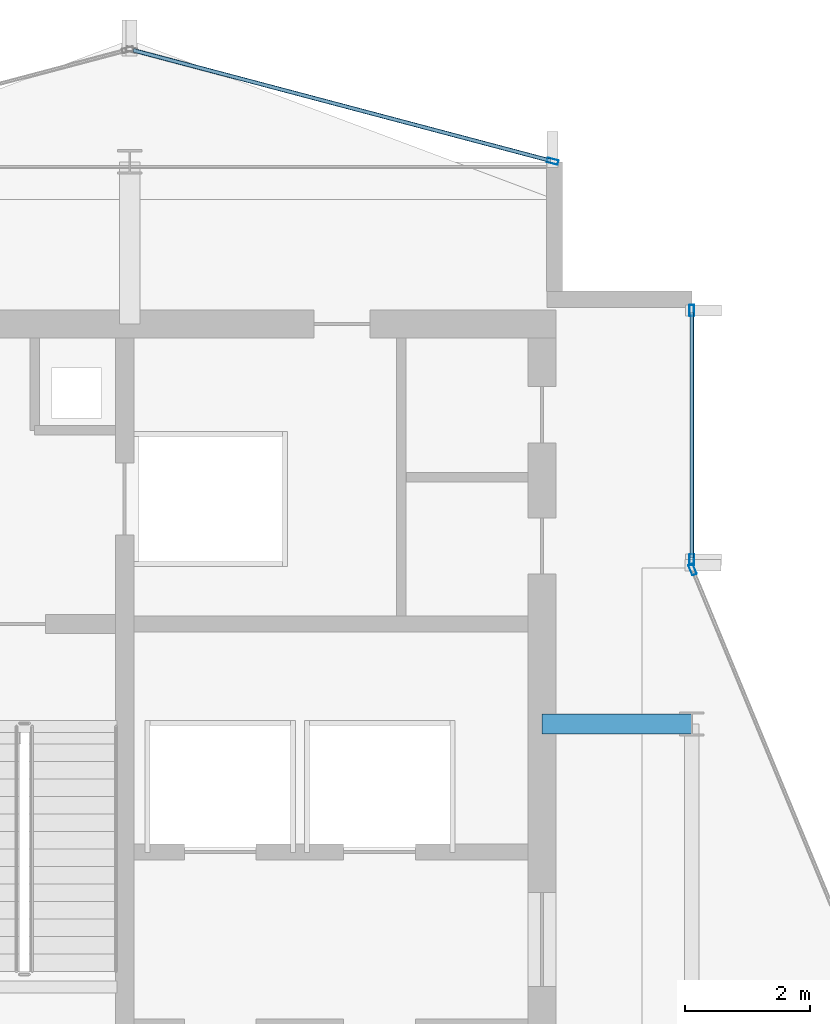
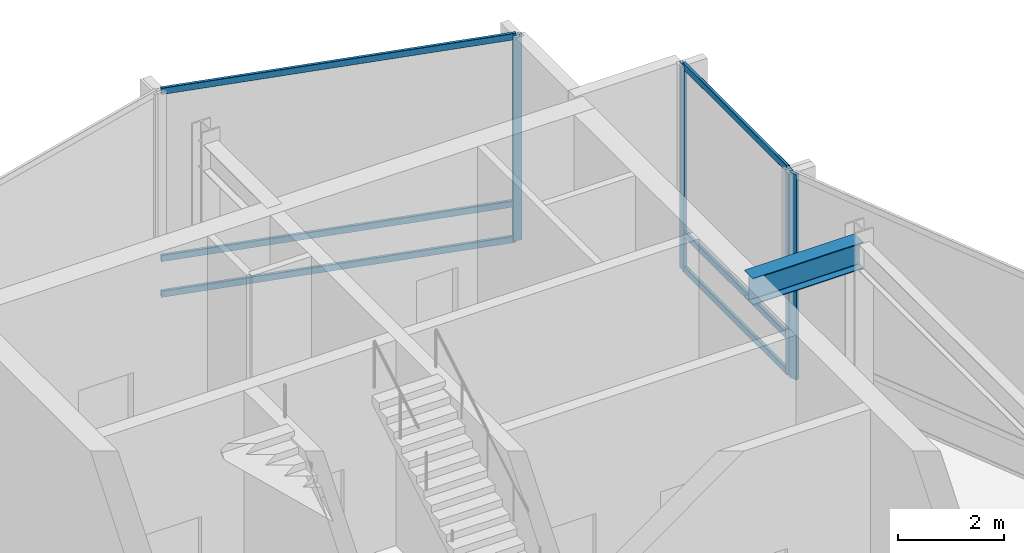
# One storey, part 15 of 23: 10 members, 1 beam, 3 elements without a shape of their own.
"""IFC4 building model written with IfcOpenShell, lengths in metres."""

from ifc_helpers import new_model, si_unit, direction, frame, origin, origin_2d, place, context, subcontext, project, spatial, hollow_rectangle, i_section, extrude, material, layer, layer_set, material_profile, profile_set, type_object, element, aggregate, save


model = new_model("IFC4")

# Units and contexts
model_context = context("Model", 3, precision=1e-05, world=origin(), true_north=direction((0.0, 1.0)))
body_context = subcontext(model_context, "Body", "Model", "MODEL_VIEW")
ifc_project = project(units=[si_unit("LENGTHUNIT", "METRE"), si_unit("AREAUNIT", "SQUARE_METRE"), si_unit("VOLUMEUNIT", "CUBIC_METRE"), si_unit("PLANEANGLEUNIT", "RADIAN"), si_unit("MASSUNIT", "GRAM", prefix="KILO")], contexts=[model_context])

# Site, building, storey
site_placement = place(None, origin())
site = spatial("IfcSite", under=ifc_project, at=site_placement, CompositionType="ELEMENT")
building_placement = place(site_placement, origin())
building = spatial("IfcBuilding", under=site, at=building_placement, Name="Solvaryn Broadcast Tower", CompositionType="ELEMENT")
storey_placement = place(building_placement, frame((0.0, 0.0, 235.800048828125)))
storey = spatial("IfcBuildingStorey", under=building, at=storey_placement, Name="L59", CompositionType="ELEMENT", Elevation=235.800048828125)

# Beam
ifc_material_1 = material(Name="Steel ASTM A992 Grade 50", Category="steel")
ifc_material_profile_1 = material_profile(ifc_material_1, i_section(OverallWidth=0.323974609375, OverallDepth=0.611083984375, WebThickness=0.0126953125, FlangeThickness=0.01904296875, FilletRadius=0.014892578125, at=origin_2d()))
ifc_profile_set_1 = profile_set([ifc_material_profile_1], Name="Steel ASTM A992 Grade 50")
beam_type = type_object("IfcBeamType", Name="BM-B1-W24X104", PredefinedType="BEAM", material=ifc_profile_set_1)
beam_placement = place(storey_placement, frame((24.60009765625, 36.0, 4.41455078125), z_axis=(1.0, 0.0, 0.0), x_axis=(0.0, 1.0, 0.0)))
element("IfcBeam", 1, at=beam_placement, inside=storey, type_object=beam_type, Name="L59 Core Tie Beam CTW2", PredefinedType="BEAM", context=body_context, shape_type="SweptSolid", body=[
    extrude(i_section(OverallWidth=0.323974609375, OverallDepth=0.611083984375, WebThickness=0.0126953125, FlangeThickness=0.01904296875, FilletRadius=0.014892578125, at=origin_2d()), origin(), (0.0, 0.0, 1.0), 2.39990234375),
])

# Curtain wall, members
ifc_material_2 = material(Name="Aluminium and Terracotta Unitised Curtain Wall", Category="masonry")
ifc_layer = layer(ifc_material_2, 0.25)
ifc_layer_set = layer_set([ifc_layer], Name="CW-SYS4-SKYGARDEN")
curtain_wall_type = type_object("IfcCurtainWallType", Name="CW-SYS4-SKYGARDEN", PredefinedType="NOTDEFINED", material=ifc_layer_set)
curtain_wall_1_placement = place(storey_placement, origin())
curtain_wall_1 = element("IfcCurtainWall", 2, at=curtain_wall_1_placement, inside=storey, type_object=curtain_wall_type, Name="L59 Curtain Wall IV", PredefinedType="NOTDEFINED")
ifc_material_3 = material(Name="Anodised Aluminium 6063-T6", Category="aluminium")
ifc_material_profile_2 = material_profile(ifc_material_3, hollow_rectangle(XDim=0.074951171875, YDim=0.179931640625, WallThickness=0.00390625, InnerFilletRadius=0.00390625, OuterFilletRadius=0.008056640625, at=origin_2d()))
ifc_profile_set_2 = profile_set([ifc_material_profile_2], Name="Anodised Aluminium 6063-T6")
member_type_1 = type_object("IfcMemberType", Name="CW-MUL-180", PredefinedType="MULLION", material=ifc_profile_set_2)
member_1_placement = place(storey_placement, frame((27.0, 42.6201171875, 0.0), z_axis=(0.0, 0.0, 1.0), x_axis=(1.0, 0.0, 0.0)))
member_1 = element("IfcMember", 3, at=member_1_placement, type_object=member_type_1, Name="CWS4 mullion 1", PredefinedType="MULLION", context=body_context, shape_type="SweptSolid", body=[
    extrude(hollow_rectangle(XDim=0.074951171875, YDim=0.179931640625, WallThickness=0.00390625, InnerFilletRadius=0.00390625, OuterFilletRadius=0.008056640625, at=origin_2d()), origin(), (0.0, 0.0, 1.0), 4.719970703125),
])
member_2_placement = place(storey_placement, frame((27.0, 38.6298828125, 0.0), z_axis=(0.0, 0.0, 1.0), x_axis=(1.0, 0.0, 0.0)))
member_2 = element("IfcMember", 4, at=member_2_placement, type_object=member_type_1, Name="CWS4 mullion 2", PredefinedType="MULLION", context=body_context, shape_type="SweptSolid", body=[
    extrude(hollow_rectangle(XDim=0.074951171875, YDim=0.179931640625, WallThickness=0.00390625, InnerFilletRadius=0.00390625, OuterFilletRadius=0.008056640625, at=origin_2d()), origin(), (0.0, 0.0, 1.0), 4.719970703125),
])

# Curtain wall, member
curtain_wall_2_placement = place(storey_placement, origin())
curtain_wall_2 = element("IfcCurtainWall", 5, at=curtain_wall_2_placement, inside=storey, type_object=curtain_wall_type, Name="L59 Curtain Wall CN2", PredefinedType="NOTDEFINED")
member_3_placement = place(storey_placement, frame((27.011474609375, 38.47216796875, 0.0), z_axis=(0.0, 0.0, 1.0), x_axis=(-0.923894983957, -0.382646127145, 0.0)))
member_3 = element("IfcMember", 6, at=member_3_placement, type_object=member_type_1, Name="CWS4 mullion 2", PredefinedType="MULLION", context=body_context, shape_type="SweptSolid", body=[
    extrude(hollow_rectangle(XDim=0.074951171875, YDim=0.179931640625, WallThickness=0.00390625, InnerFilletRadius=0.00390625, OuterFilletRadius=0.008056640625, at=origin_2d()), origin(), (0.0, 0.0, 1.0), 4.719970703125),
])
aggregate(curtain_wall_2, [member_3])

curtain_wall_3_placement = place(storey_placement, origin())
curtain_wall_3 = element("IfcCurtainWall", 7, at=curtain_wall_3_placement, inside=storey, type_object=curtain_wall_type, Name="L59 Curtain Wall NT1", PredefinedType="NOTDEFINED")
member_4_placement = place(storey_placement, frame((24.77099609375, 45.007568359375, 0.0), z_axis=(0.0, 0.0, 1.0), x_axis=(-0.25589256031, -0.966705227863, 0.0)))
member_4 = element("IfcMember", 8, at=member_4_placement, type_object=member_type_1, Name="CWS4 mullion 1", PredefinedType="MULLION", context=body_context, shape_type="SweptSolid", body=[
    extrude(hollow_rectangle(XDim=0.074951171875, YDim=0.179931640625, WallThickness=0.00390625, InnerFilletRadius=0.00390625, OuterFilletRadius=0.008056640625, at=origin_2d()), origin(), (0.0, 0.0, 1.0), 4.719970703125),
])

# Member
ifc_material_4 = material(Name="Anodised Aluminium 6063-T6", Category="aluminium")
ifc_material_profile_3 = material_profile(ifc_material_4, hollow_rectangle(XDim=0.06494140625, YDim=0.14990234375, WallThickness=0.00390625, InnerFilletRadius=0.00390625, OuterFilletRadius=0.008056640625, at=origin_2d()))
ifc_profile_set_3 = profile_set([ifc_material_profile_3], Name="Anodised Aluminium 6063-T6")
member_type_2 = type_object("IfcMemberType", Name="CW-TRN-150", PredefinedType="USERDEFINED", material=ifc_profile_set_3)
member_5_placement = place(storey_placement, frame((27.0, 42.590087890625, 0.030029296875), z_axis=(0.0, -1.0, 0.0), x_axis=(1.0, 0.0, 0.0)))
member_5 = element("IfcMember", 9, at=member_5_placement, type_object=member_type_2, Name="CWS4 transom 1.1", ObjectType="TRANSOM", PredefinedType="USERDEFINED", context=body_context, shape_type="SweptSolid", body=[
    extrude(hollow_rectangle(XDim=0.06494140625, YDim=0.14990234375, WallThickness=0.00390625, InnerFilletRadius=0.00390625, OuterFilletRadius=0.008056640625, at=origin_2d()), origin(), (0.0, 0.0, 1.0), 3.93017578125),
])

member_6_placement = place(storey_placement, frame((27.0, 42.590087890625, 0.849853515625), z_axis=(0.0, -1.0, 0.0), x_axis=(1.0, 0.0, 0.0)))
member_6 = element("IfcMember", 10, at=member_6_placement, type_object=member_type_2, Name="CWS4 transom 1.2", ObjectType="TRANSOM", PredefinedType="USERDEFINED", context=body_context, shape_type="SweptSolid", body=[
    extrude(hollow_rectangle(XDim=0.06494140625, YDim=0.14990234375, WallThickness=0.00390625, InnerFilletRadius=0.00390625, OuterFilletRadius=0.008056640625, at=origin_2d()), origin(), (0.0, 0.0, 1.0), 3.93017578125),
])

member_7_placement = place(storey_placement, frame((27.0, 42.590087890625, 4.68994140625), z_axis=(0.0, -1.0, 0.0), x_axis=(1.0, 0.0, 0.0)))
member_7 = element("IfcMember", 11, at=member_7_placement, type_object=member_type_2, Name="CWS4 transom 1.3", ObjectType="TRANSOM", PredefinedType="USERDEFINED", context=body_context, shape_type="SweptSolid", body=[
    extrude(hollow_rectangle(XDim=0.06494140625, YDim=0.14990234375, WallThickness=0.00390625, InnerFilletRadius=0.00390625, OuterFilletRadius=0.008056640625, at=origin_2d()), origin(), (0.0, 0.0, 1.0), 3.93017578125),
])

aggregate(curtain_wall_1, [member_1, member_2, member_5, member_6, member_7])

member_8_placement = place(storey_placement, frame((24.741943359375, 45.015380859375, 0.030029296875), z_axis=(-0.966703943301, 0.255897413051, 0.0), x_axis=(-0.255897413051, -0.966703943301, 0.0)))
member_8 = element("IfcMember", 12, at=member_8_placement, type_object=member_type_2, Name="CWS4 transom 1.1", ObjectType="TRANSOM", PredefinedType="USERDEFINED", context=body_context, shape_type="SweptSolid", body=[
    extrude(hollow_rectangle(XDim=0.06494140625, YDim=0.14990234375, WallThickness=0.00390625, InnerFilletRadius=0.00390625, OuterFilletRadius=0.008056640625, at=origin_2d()), origin(), (0.0, 0.0, 1.0), 6.9140625),
])

member_9_placement = place(storey_placement, frame((24.741943359375, 45.015380859375, 0.849853515625), z_axis=(-0.966703943301, 0.255897413051, 0.0), x_axis=(-0.255897413051, -0.966703943301, 0.0)))
member_9 = element("IfcMember", 13, at=member_9_placement, type_object=member_type_2, Name="CWS4 transom 1.2", ObjectType="TRANSOM", PredefinedType="USERDEFINED", context=body_context, shape_type="SweptSolid", body=[
    extrude(hollow_rectangle(XDim=0.06494140625, YDim=0.14990234375, WallThickness=0.00390625, InnerFilletRadius=0.00390625, OuterFilletRadius=0.008056640625, at=origin_2d()), origin(), (0.0, 0.0, 1.0), 6.9140625),
])

member_10_placement = place(storey_placement, frame((24.741943359375, 45.015380859375, 4.68994140625), z_axis=(-0.966703943301, 0.255897413051, 0.0), x_axis=(-0.255897413051, -0.966703943301, 0.0)))
member_10 = element("IfcMember", 14, at=member_10_placement, type_object=member_type_2, Name="CWS4 transom 1.3", ObjectType="TRANSOM", PredefinedType="USERDEFINED", context=body_context, shape_type="SweptSolid", body=[
    extrude(hollow_rectangle(XDim=0.06494140625, YDim=0.14990234375, WallThickness=0.00390625, InnerFilletRadius=0.00390625, OuterFilletRadius=0.008056640625, at=origin_2d()), origin(), (0.0, 0.0, 1.0), 6.9140625),
])

aggregate(curtain_wall_3, [member_4, member_8, member_9, member_10])

save(model, "model.ifc")
